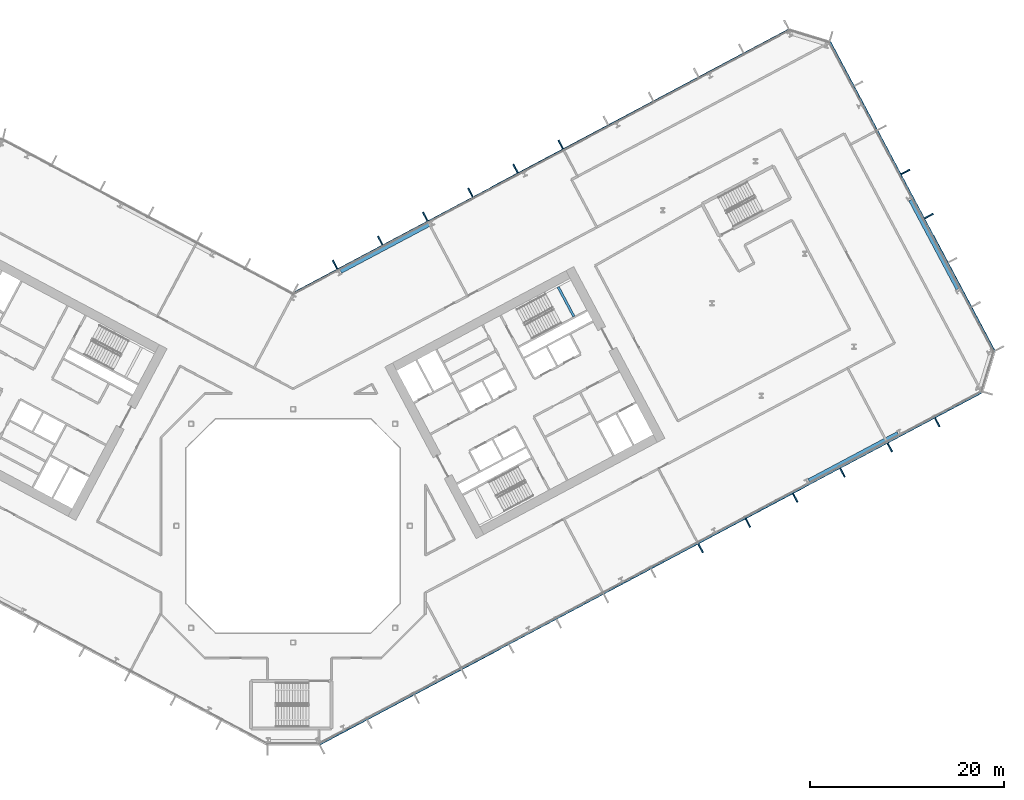
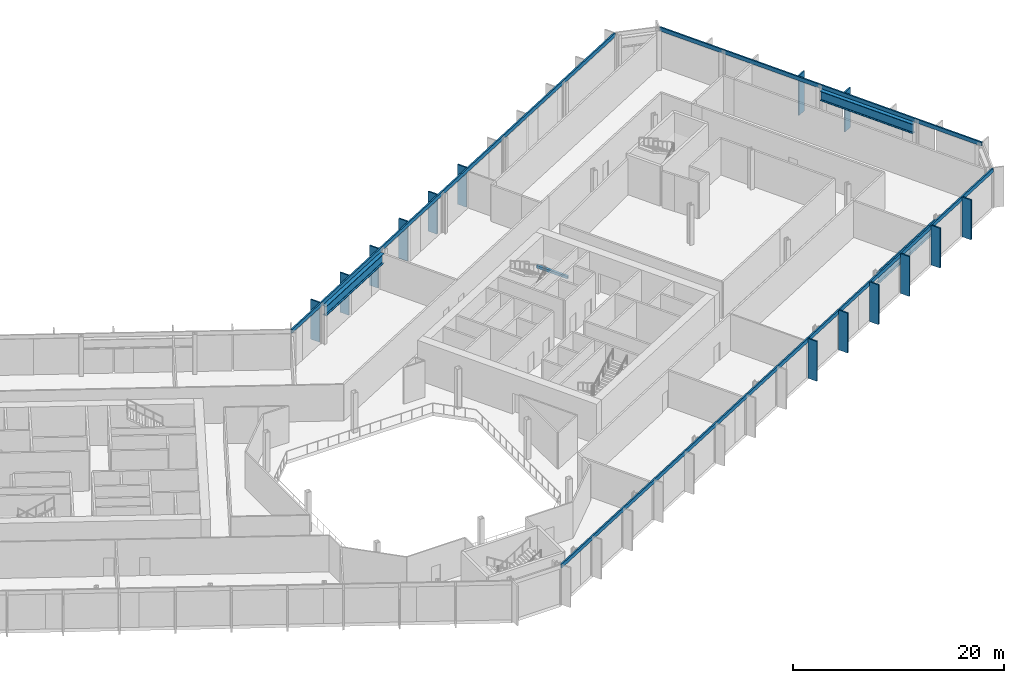
# One storey, part 8 of 30: 17 members, 4 beams, 3 elements without a shape of their own.
"""IFC4 building model written with IfcOpenShell, lengths in metres."""

from ifc_helpers import new_model, si_unit, direction, frame, origin, origin_2d, place, context, subcontext, project, spatial, rectangle, i_section, extrude, material, layer, layer_set, material_profile, profile_set, type_object, element, aggregate, save


model = new_model("IFC4")

# Units and contexts
model_context = context("Model", 3, precision=1e-05, world=origin(), true_north=direction((0.0, 1.0)))
body_context = subcontext(model_context, "Body", "Model", "MODEL_VIEW")
ifc_project = project(units=[si_unit("LENGTHUNIT", "METRE"), si_unit("AREAUNIT", "SQUARE_METRE"), si_unit("VOLUMEUNIT", "CUBIC_METRE"), si_unit("PLANEANGLEUNIT", "RADIAN"), si_unit("MASSUNIT", "GRAM", prefix="KILO")], contexts=[model_context])

# Site, building, storey
site_placement = place(None, origin())
site = spatial("IfcSite", under=ifc_project, at=site_placement, CompositionType="ELEMENT")
building_placement = place(site_placement, origin())
building = spatial("IfcBuilding", under=site, at=building_placement, Name="Cormorant Relay Tower", CompositionType="ELEMENT")
storey_placement = place(building_placement, frame((0.0, 0.0, 84.60009765625)))
storey = spatial("IfcBuildingStorey", under=building, at=storey_placement, Name="L16", CompositionType="ELEMENT", Elevation=84.60009765625)

# Curtain wall, members
ifc_material_1 = material(Name="Aluminium 6063-T6 anodised bronze", Category="aluminium")
ifc_layer = layer(ifc_material_1, 0.199951171875)
ifc_layer_set = layer_set([ifc_layer], Name="CW1 unitised bronze curtain wall with vertical fins")
curtain_wall_type = type_object("IfcCurtainWallType", Name="CW1 unitised bronze curtain wall with vertical fins", PredefinedType="NOTDEFINED", material=ifc_layer_set)
curtain_wall_1_placement = place(storey_placement, origin())
curtain_wall_1 = element("IfcCurtainWall", 1, at=curtain_wall_1_placement, inside=storey, type_object=curtain_wall_type, Name="CW1 curtain wall 2", PredefinedType="NOTDEFINED")
ifc_material_2 = material(Name="Aluminium 6063-T6 anodised bronze", Category="aluminium")
ifc_material_profile_1 = material_profile(ifc_material_2, rectangle(XDim=0.14990234375, YDim=1.0, at=origin_2d()), Name="AL 150x1000")
ifc_profile_set_1 = profile_set([ifc_material_profile_1], Name="Aluminium 6063-T6 anodised bronze")
member_type_1 = type_object("IfcMemberType", Name="CW1 bronze fin mullion 150 x 1000", PredefinedType="MULLION", material=ifc_profile_set_1)
member_1_placement = place(storey_placement, frame((41.910888671875, -2.29248046875, 0.0), z_axis=(0.0, 0.0, 1.0), x_axis=(0.882947592859, 0.469471562786, 0.0)))
member_1 = element("IfcMember", 2, at=member_1_placement, type_object=member_type_1, Name="CW1 fin 2.9", PredefinedType="MULLION", context=body_context, shape_type="SweptSolid", body=[
    extrude(rectangle(XDim=0.14990234375, YDim=1.0, at=origin_2d()), origin(), (0.0, 0.0, 1.0), 4.599853515625),
])
member_2_placement = place(storey_placement, frame((46.777587890625, 0.29541015625, 0.0), z_axis=(0.0, 0.0, 1.0), x_axis=(0.882947592859, 0.469471562786, 0.0)))
member_2 = element("IfcMember", 3, at=member_2_placement, type_object=member_type_1, Name="CW1 fin 2.10", PredefinedType="MULLION", context=body_context, shape_type="SweptSolid", body=[
    extrude(rectangle(XDim=0.14990234375, YDim=1.0, at=origin_2d()), origin(), (0.0, 0.0, 1.0), 4.599853515625),
])
member_3_placement = place(storey_placement, frame((51.644287109375, 2.8828125, 0.0), z_axis=(0.0, 0.0, 1.0), x_axis=(0.882947592859, 0.469471562786, 0.0)))
member_3 = element("IfcMember", 4, at=member_3_placement, type_object=member_type_1, Name="CW1 fin 2.11", PredefinedType="MULLION", context=body_context, shape_type="SweptSolid", body=[
    extrude(rectangle(XDim=0.14990234375, YDim=1.0, at=origin_2d()), origin(), (0.0, 0.0, 1.0), 4.599853515625),
])
member_4_placement = place(storey_placement, frame((56.510986328125, 5.470703125, 0.0), z_axis=(0.0, 0.0, 1.0), x_axis=(0.882947592859, 0.469471562786, 0.0)))
member_4 = element("IfcMember", 5, at=member_4_placement, type_object=member_type_1, Name="CW1 fin 2.12", PredefinedType="MULLION", context=body_context, shape_type="SweptSolid", body=[
    extrude(rectangle(XDim=0.14990234375, YDim=1.0, at=origin_2d()), origin(), (0.0, 0.0, 1.0), 4.599853515625),
])
member_5_placement = place(storey_placement, frame((61.377685546875, 8.058349609375, 0.0), z_axis=(0.0, 0.0, 1.0), x_axis=(0.882947592859, 0.469471562786, 0.0)))
member_5 = element("IfcMember", 6, at=member_5_placement, type_object=member_type_1, Name="CW1 fin 2.13", PredefinedType="MULLION", context=body_context, shape_type="SweptSolid", body=[
    extrude(rectangle(XDim=0.14990234375, YDim=1.0, at=origin_2d()), origin(), (0.0, 0.0, 1.0), 4.599853515625),
])
member_6_placement = place(storey_placement, frame((66.244140625, 10.64599609375, 0.0), z_axis=(0.0, 0.0, 1.0), x_axis=(0.882947592859, 0.469471562786, 0.0)))
member_6 = element("IfcMember", 7, at=member_6_placement, type_object=member_type_1, Name="CW1 fin 2.14", PredefinedType="MULLION", context=body_context, shape_type="SweptSolid", body=[
    extrude(rectangle(XDim=0.14990234375, YDim=1.0, at=origin_2d()), origin(), (0.0, 0.0, 1.0), 4.599853515625),
])

curtain_wall_2_placement = place(storey_placement, origin())
curtain_wall_2 = element("IfcCurtainWall", 8, at=curtain_wall_2_placement, inside=storey, type_object=curtain_wall_type, Name="CW1 curtain wall 4", PredefinedType="NOTDEFINED")
member_7_placement = place(storey_placement, frame((65.3974609375, 31.860107421875, 0.0), z_axis=(0.0, 0.0, 1.0), x_axis=(-0.469471562786, 0.882947592859, 0.0)))
member_7 = element("IfcMember", 9, at=member_7_placement, type_object=member_type_1, Name="CW1 fin 4.4", PredefinedType="MULLION", context=body_context, shape_type="SweptSolid", body=[
    extrude(rectangle(XDim=0.14990234375, YDim=1.0, at=origin_2d()), origin(), (0.0, 0.0, 1.0), 4.599853515625),
])
member_8_placement = place(storey_placement, frame((62.983154296875, 36.40087890625, 0.0), z_axis=(0.0, 0.0, 1.0), x_axis=(-0.469471562786, 0.882947592859, 0.0)))
member_8 = element("IfcMember", 10, at=member_8_placement, type_object=member_type_1, Name="CW1 fin 4.5", PredefinedType="MULLION", context=body_context, shape_type="SweptSolid", body=[
    extrude(rectangle(XDim=0.14990234375, YDim=1.0, at=origin_2d()), origin(), (0.0, 0.0, 1.0), 4.599853515625),
])

curtain_wall_3_placement = place(storey_placement, origin())
curtain_wall_3 = element("IfcCurtainWall", 11, at=curtain_wall_3_placement, inside=storey, type_object=curtain_wall_type, Name="CW1 curtain wall 6", PredefinedType="NOTDEFINED")
member_9_placement = place(storey_placement, frame((27.524658203125, 39.2119140625, 0.0), z_axis=(0.0, 0.0, 1.0), x_axis=(-0.882947592859, -0.469471562786, 0.0)))
member_9 = element("IfcMember", 12, at=member_9_placement, type_object=member_type_1, Name="CW1 fin 6.6", PredefinedType="MULLION", context=body_context, shape_type="SweptSolid", body=[
    extrude(rectangle(XDim=0.14990234375, YDim=1.0, at=origin_2d()), origin(), (0.0, 0.0, 1.0), 4.599853515625),
])
member_10_placement = place(storey_placement, frame((22.882568359375, 36.74365234375, 0.0), z_axis=(0.0, 0.0, 1.0), x_axis=(-0.882947592859, -0.469471562786, 0.0)))
member_10 = element("IfcMember", 13, at=member_10_placement, type_object=member_type_1, Name="CW1 fin 6.7", PredefinedType="MULLION", context=body_context, shape_type="SweptSolid", body=[
    extrude(rectangle(XDim=0.14990234375, YDim=1.0, at=origin_2d()), origin(), (0.0, 0.0, 1.0), 4.599853515625),
])
member_11_placement = place(storey_placement, frame((18.240234375, 34.275390625, 0.0), z_axis=(0.0, 0.0, 1.0), x_axis=(-0.882947592859, -0.469471562786, 0.0)))
member_11 = element("IfcMember", 14, at=member_11_placement, type_object=member_type_1, Name="CW1 fin 6.8", PredefinedType="MULLION", context=body_context, shape_type="SweptSolid", body=[
    extrude(rectangle(XDim=0.14990234375, YDim=1.0, at=origin_2d()), origin(), (0.0, 0.0, 1.0), 4.599853515625),
])
member_12_placement = place(storey_placement, frame((13.597900390625, 31.806884765625, 0.0), z_axis=(0.0, 0.0, 1.0), x_axis=(-0.882947592859, -0.469471562786, 0.0)))
member_12 = element("IfcMember", 15, at=member_12_placement, type_object=member_type_1, Name="CW1 fin 6.9", PredefinedType="MULLION", context=body_context, shape_type="SweptSolid", body=[
    extrude(rectangle(XDim=0.14990234375, YDim=1.0, at=origin_2d()), origin(), (0.0, 0.0, 1.0), 4.599853515625),
])
member_13_placement = place(storey_placement, frame((8.955810546875, 29.338623046875, 0.0), z_axis=(0.0, 0.0, 1.0), x_axis=(-0.882947592859, -0.469471562786, 0.0)))
member_13 = element("IfcMember", 16, at=member_13_placement, type_object=member_type_1, Name="CW1 fin 6.10", PredefinedType="MULLION", context=body_context, shape_type="SweptSolid", body=[
    extrude(rectangle(XDim=0.14990234375, YDim=1.0, at=origin_2d()), origin(), (0.0, 0.0, 1.0), 4.599853515625),
])
member_14_placement = place(storey_placement, frame((4.313720703125, 26.870361328125, 0.0), z_axis=(0.0, 0.0, 1.0), x_axis=(-0.882947592859, -0.469471562786, 0.0)))
member_14 = element("IfcMember", 17, at=member_14_placement, type_object=member_type_1, Name="CW1 fin 6.11", PredefinedType="MULLION", context=body_context, shape_type="SweptSolid", body=[
    extrude(rectangle(XDim=0.14990234375, YDim=1.0, at=origin_2d()), origin(), (0.0, 0.0, 1.0), 4.599853515625),
])

# Member
ifc_material_3 = material(Name="Aluminium 6063-T6 anodised bronze", Category="aluminium")
ifc_material_profile_2 = material_profile(ifc_material_3, rectangle(XDim=0.159912109375, YDim=0.449951171875, at=origin_2d()), Name="AL 160x450")
ifc_profile_set_2 = profile_set([ifc_material_profile_2], Name="Aluminium 6063-T6 anodised bronze")
member_type_2 = type_object("IfcMemberType", Name="CW1 bronze transom 160 x 450", PredefinedType="USERDEFINED", material=ifc_profile_set_2)
member_15_placement = place(storey_placement, frame((2.705078125, -22.4814453125, 4.375), z_axis=(0.882948654677, 0.46946956579, 0.0), x_axis=(-0.46946956579, 0.882948654677, 0.0)))
member_15 = element("IfcMember", 18, at=member_15_placement, type_object=member_type_2, Name="CW1 transom 2", ObjectType="TRANSOM", PredefinedType="USERDEFINED", context=body_context, shape_type="SweptSolid", body=[
    extrude(rectangle(XDim=0.159912109375, YDim=0.449951171875, at=origin_2d()), origin(), (0.0, 0.0, 1.0), 77.166015625),
])

aggregate(curtain_wall_1, [member_1, member_2, member_3, member_4, member_5, member_6, member_15])

member_16_placement = place(storey_placement, frame((72.128662109375, 17.965087890625, 4.375), z_axis=(-0.469469230355, 0.88294883303, 0.0), x_axis=(-0.88294883303, -0.469469230355, 0.0)))
member_16 = element("IfcMember", 19, at=member_16_placement, type_object=member_type_2, Name="CW1 transom 4", ObjectType="TRANSOM", PredefinedType="USERDEFINED", context=body_context, shape_type="SweptSolid", body=[
    extrude(rectangle(XDim=0.159912109375, YDim=0.449951171875, at=origin_2d()), origin(), (0.0, 0.0, 1.0), 36.0),
])

aggregate(curtain_wall_2, [member_7, member_8, member_16])

member_17_placement = place(storey_placement, frame((51.008056640625, 51.04150390625, 4.375), z_axis=(-0.882946446228, -0.469473719279, 0.0), x_axis=(0.469473719279, -0.882946446228, 0.0)))
member_17 = element("IfcMember", 20, at=member_17_placement, type_object=member_type_2, Name="CW1 transom 6", ObjectType="TRANSOM", PredefinedType="USERDEFINED", context=body_context, shape_type="SweptSolid", body=[
    extrude(rectangle(XDim=0.159912109375, YDim=0.449951171875, at=origin_2d()), origin(), (0.0, 0.0, 1.0), 57.834228515625),
])

aggregate(curtain_wall_3, [member_9, member_10, member_11, member_12, member_13, member_14, member_17])

# Beams
ifc_material_4 = material(Name="Steel ASTM A992 (Fy 345 MPa)", Category="steel")
ifc_material_profile_3 = material_profile(ifc_material_4, i_section(OverallWidth=0.40380859375, OverallDepth=1.11767578125, WebThickness=0.026123046875, FlangeThickness=0.044921875, FilletRadius=0.02001953125, at=origin_2d()), Name="W1100x499")
ifc_profile_set_3 = profile_set([ifc_material_profile_3], Name="Steel ASTM A992 (Fy 345 MPa)")
beam_type_1 = type_object("IfcBeamType", Name="Spandrel W1100x499", PredefinedType="SPANDREL", material=ifc_profile_set_3)
for number, where, z_axis, x_axis, name in (
    (21, (53.0390625, 4.64599609375, 3.64111328125), (0.882937138632, 0.469491223799, 0.0), (-0.469491223799, 0.882937138632, 0.0), "Spandrel beam L16-002"),
    (22, (68.364990234375, 24.358154296875, 3.64111328125), (-0.469491223799, 0.882937138632, 0.0), (-0.882937138632, -0.469491223799, 0.0), "Spandrel beam L16-004"),
    (23, (14.06494140625, 31.03369140625, 3.64111328125), (-0.882946891921, -0.469472881056, 0.0), (0.469472881056, -0.882946891921, 0.0), "Spandrel beam L16-006"),
):
    element("IfcBeam", number, at=place(storey_placement, frame(where, z_axis=z_axis, x_axis=x_axis)), inside=storey, type_object=beam_type_1, Name=name, PredefinedType="SPANDREL", context=body_context, shape_type="SweptSolid", body=[
        extrude(i_section(OverallWidth=0.40380859375, OverallDepth=1.11767578125, WebThickness=0.026123046875, FlangeThickness=0.044921875, FilletRadius=0.02001953125, at=origin_2d()), origin(), (0.0, 0.0, 1.0), 10.376220703125),
    ])
ifc_material_5 = material(Name="Concrete 50 MPa", Category="concrete")
ifc_material_profile_4 = material_profile(ifc_material_5, rectangle(XDim=0.25, YDim=0.300048828125, at=origin_2d()), Name="RC 250x300")
ifc_profile_set_4 = profile_set([ifc_material_profile_4], Name="Concrete 50 MPa")
beam_type_2 = type_object("IfcBeamType", Name="Stair landing ledge beam 250x300", PredefinedType="BEAM", material=ifc_profile_set_4)
beam_placement = place(storey_placement, frame((28.878662109375, 21.527587890625, 1.949951171875), z_axis=(-0.469463917486, 0.882951657895, 0.0), x_axis=(-0.882951657895, -0.469463917486, 0.0)))
element("IfcBeam", 24, at=beam_placement, inside=storey, type_object=beam_type_2, Name="B2 landing ledge beam", PredefinedType="BEAM", context=body_context, shape_type="SweptSolid", body=[
    extrude(rectangle(XDim=0.25, YDim=0.300048828125, at=origin_2d()), origin(), (0.0, 0.0, 1.0), 3.449951171875),
])

save(model, "model.ifc")
